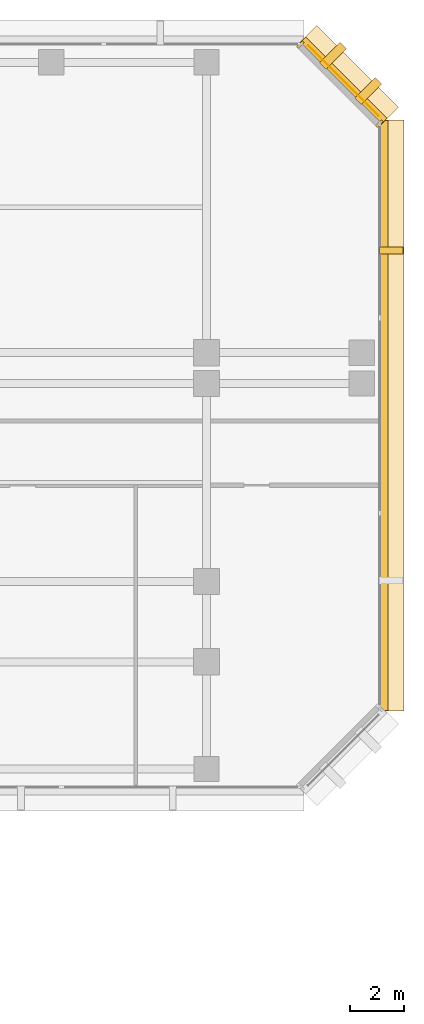
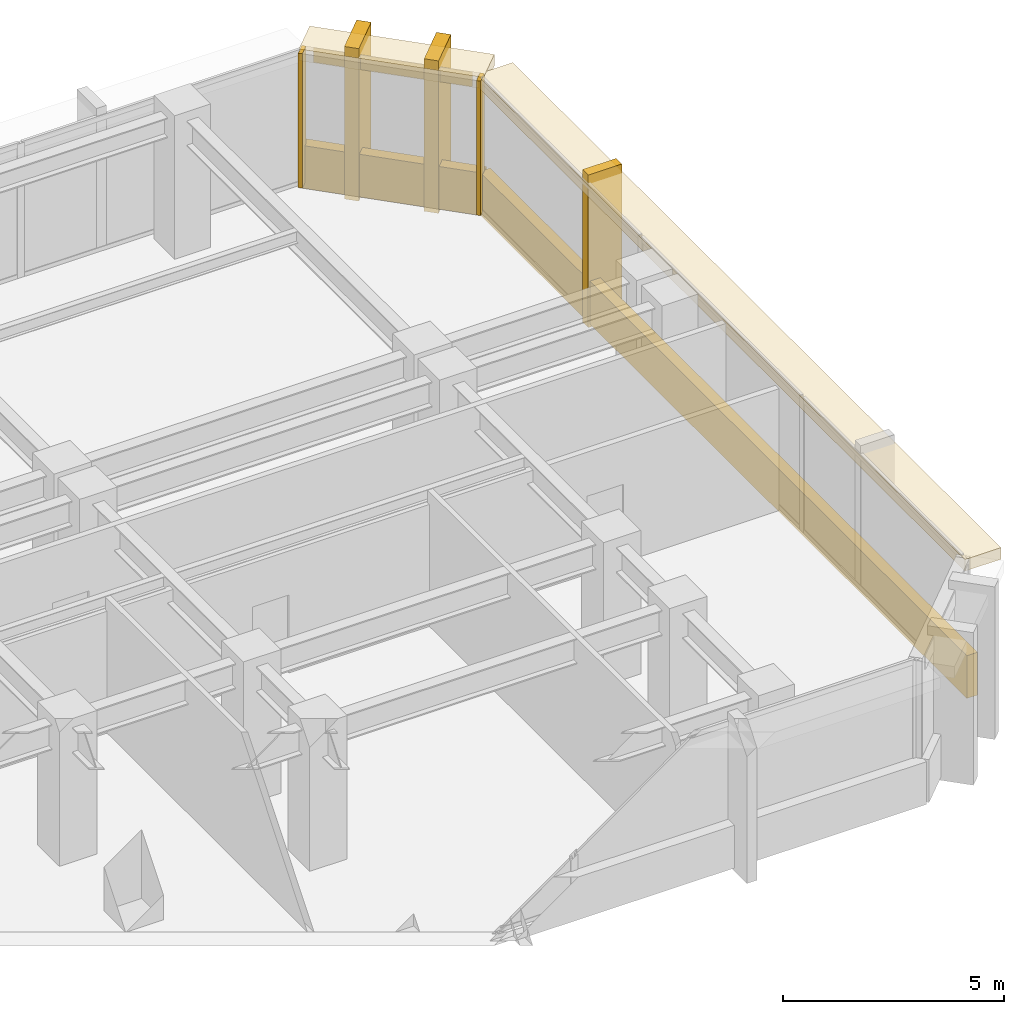
# One storey, part 13 of 13: 10 coverings.
"""IFC4 building model written with IfcOpenShell, lengths in metres."""

import ifcopenshell
import ifcopenshell.guid

model = None  # the IFC model being written
_history = None  # IfcOwnerHistory: only IFC2X3 demands one
_inside = {}  # id of a spatial element -> (the spatial element, [elements in it])
_under = {}  # id of a project, library or spatial element -> (it, [spatial elements below it])
_declared = {}  # id of a project -> (the project, [libraries it declares])
_typed = {}  # id of a type object -> (the type object, [elements of that type])
_made_of = {}  # id of a material, layer set ... -> (it, [elements and type objects made of it])


def new_model(schema):
    """Start an empty IFC model of exactly this schema.

    Asked for "IFC4X3", IfcOpenShell would pick the latest addendum, in which some entities
    have other attributes; the version numbers below select the first issue.
    IFC2X3 requires an IfcOwnerHistory on every rooted entity: one is made here for all.
    """
    global model, _history
    if schema == "IFC4X3":
        model = ifcopenshell.file(schema_version=(4, 3, 0, 0))
    else:
        model = ifcopenshell.file(schema=schema)
    _inside.clear()
    _under.clear()
    _declared.clear()
    _typed.clear()
    _made_of.clear()
    _history = None
    if model.schema == "IFC2X3":
        org = make("IfcOrganization", Name="unknown")
        user = make(
            "IfcPersonAndOrganization",
            ThePerson=make("IfcPerson", FamilyName="unknown"),
            TheOrganization=org,
        )
        app = make(
            "IfcApplication",
            ApplicationDeveloper=org,
            Version="unknown",
            ApplicationFullName="unknown",
            ApplicationIdentifier="unknown",
        )
        _history = make(
            "IfcOwnerHistory",
            OwningUser=user,
            OwningApplication=app,
            ChangeAction="ADDED",
            CreationDate=0,
        )
    return model


def make(cls, **values):
    """One entity of the class cls with the attributes given. An attribute that is None is left unset."""
    return model.create_entity(
        cls, **{name: value for name, value in values.items() if value is not None}
    )


def rooted(cls, **values):
    """An entity with a GlobalId (a new one), such as an element, a storey or a relation."""
    return make(cls, GlobalId=ifcopenshell.guid.new(), OwnerHistory=_history, **values)


def si_unit(unit_type, name, prefix=None):
    """IfcSIUnit, for example si_unit("LENGTHUNIT", "METRE", prefix="MILLI")."""
    return make("IfcSIUnit", UnitType=unit_type, Prefix=prefix, Name=name)


def assignment(units):
    """IfcUnitAssignment: the units of a project."""
    return None if units is None else make("IfcUnitAssignment", Units=units)


def point(xyz):
    """IfcCartesianPoint."""
    return None if xyz is None else make("IfcCartesianPoint", Coordinates=xyz)


def direction(xyz):
    """IfcDirection."""
    return None if xyz is None else make("IfcDirection", DirectionRatios=xyz)


def frame(location, z_axis=None, x_axis=None):
    """IfcAxis2Placement3D, a coordinate frame: its origin and axes. An axis left out is left unset."""
    return make(
        "IfcAxis2Placement3D",
        Location=point(location),
        Axis=direction(z_axis),
        RefDirection=direction(x_axis),
    )


def frame_2d(location, x_axis=None):
    """IfcAxis2Placement2D, a coordinate frame in the plane: its origin and x axis."""
    return make(
        "IfcAxis2Placement2D", Location=point(location), RefDirection=direction(x_axis)
    )


def origin():
    """The frame at (0, 0, 0) with its axes left unset."""
    return frame((0.0, 0.0, 0.0))


def origin_2d():
    """The frame at (0, 0) in the plane with its x axis left unset."""
    return frame_2d((0.0, 0.0))


def place(relative_to, where):
    """IfcLocalPlacement: puts the frame where relative to a parent placement (None: the world)."""
    return make(
        "IfcLocalPlacement", PlacementRelTo=relative_to, RelativePlacement=where
    )


def context(
    kind, dimensions, precision=None, world=None, true_north=None, identifier=None
):
    """IfcGeometricRepresentationContext, for example the 3D "Model" context."""
    return make(
        "IfcGeometricRepresentationContext",
        ContextIdentifier=identifier,
        ContextType=kind,
        CoordinateSpaceDimension=dimensions,
        Precision=precision,
        WorldCoordinateSystem=world,
        TrueNorth=true_north,
    )


def subcontext(parent, identifier, kind, view, scale=None):
    """IfcGeometricRepresentationSubContext, for example "Body" below "Model"."""
    return make(
        "IfcGeometricRepresentationSubContext",
        ContextIdentifier=identifier,
        ContextType=kind,
        ParentContext=parent,
        TargetScale=scale,
        TargetView=view,
    )


def project(units=None, contexts=None):
    """IfcProject with its units and contexts."""
    return rooted(
        "IfcProject",
        Name="project",
        RepresentationContexts=contexts,
        UnitsInContext=assignment(units),
    )


def spatial(cls, under=None, at=None, **own):
    """A site, building, storey or space (cls), placed at a placement, below another one or the project."""
    s = rooted(cls, ObjectPlacement=at, **own)
    if under is not None:
        _under.setdefault(under.id(), (under, []))[1].append(s)
    return s


def profile(cls, at=None, kind="AREA", **sizes):
    """A parametric profile (cls). Its sizes go by their IFC names, for example OverallWidth=200.0."""
    return make(cls, ProfileType=kind, Position=at, **sizes)


def rectangle(**sizes):
    """IfcRectangleProfileDef."""
    return profile("IfcRectangleProfileDef", **sizes)


def extrude(swept, where, along, depth):
    """IfcExtrudedAreaSolid: the profile swept, set in the frame where, extruded along a direction by depth."""
    return make(
        "IfcExtrudedAreaSolid",
        SweptArea=swept,
        Position=where,
        ExtrudedDirection=direction(along),
        Depth=depth,
    )


def shape(context_of_items, identifier, shape_type, items):
    """IfcShapeRepresentation: the items that make up one representation, for example the "Body"."""
    return make(
        "IfcShapeRepresentation",
        ContextOfItems=context_of_items,
        RepresentationIdentifier=identifier,
        RepresentationType=shape_type,
        Items=items,
    )


def material(Name=None, Category=None):
    """IfcMaterial."""
    return make("IfcMaterial", Name=Name, Category=Category)


def layer(
    of_material, thickness, ventilated=None, Name=None, Category=None, Priority=None
):
    """IfcMaterialLayer: one layer of a wall or slab, of a material (None: an air gap)."""
    return make(
        "IfcMaterialLayer",
        Material=of_material,
        LayerThickness=thickness,
        IsVentilated=ventilated,
        Name=Name,
        Category=Category,
        Priority=Priority,
    )


def layer_set(layers, Name=None):
    """IfcMaterialLayerSet."""
    return make("IfcMaterialLayerSet", MaterialLayers=layers, LayerSetName=Name)


def made_of(thing, what):
    """Note that an element or type object is made of a material, layer set ...; save() writes the relation."""
    if what is not None:
        _made_of.setdefault(what.id(), (what, []))[1].append(thing)
    return thing


def type_object(cls, material=None, **own):
    """A type object (cls), such as IfcWallType, which elements share."""
    return made_of(rooted(cls, **own), material)


def element(
    cls,
    number,
    at=None,
    inside=None,
    cuts=None,
    type_object=None,
    material=None,
    context=None,
    identifier="Body",
    shape_type=None,
    held_by="IfcProductDefinitionShape",
    body=None,
    shapes=None,
    **own,
):
    """One element of the class cls, such as IfcWall. Its Tag is "e" and its number.

    at: its placement. inside: the storey or other place that contains it. cuts: it is an
    opening in that element (IfcRelVoidsElement). A single representation is given by context,
    identifier, shape_type and body (its items); several are given by shapes. held_by: the class
    of the entity that holds the representations. save() writes the other relations.
    """
    e = rooted(cls, Tag="e%d" % number, ObjectPlacement=at, **own)
    if body is not None:
        shapes = [shape(context, identifier, shape_type, body)]
    if shapes is not None:
        e.Representation = make(held_by, Representations=shapes)
    if inside is not None:
        _inside.setdefault(inside.id(), (inside, []))[1].append(e)
    if cuts is not None:
        rooted(
            "IfcRelVoidsElement", RelatingBuildingElement=cuts, RelatedOpeningElement=e
        )
    if type_object is not None:
        _typed.setdefault(type_object.id(), (type_object, []))[1].append(e)
    return made_of(e, material)


def aggregate(whole, parts):
    """IfcRelAggregates: a whole, such as a stair, and the parts it consists of."""
    return rooted("IfcRelAggregates", RelatingObject=whole, RelatedObjects=parts)


def save(model, path):
    """Write the relations noted so far, then the file.

    IfcRelAggregates (storeys below a building ...), IfcRelContainedInSpatialStructure (elements
    in a storey), IfcRelDefinesByType, IfcRelAssociatesMaterial and IfcRelDeclares: one each for
    every whole, place, type object, material and project.
    """
    for whole, parts in _under.values():
        aggregate(whole, parts)
    for where, things in _inside.values():
        rooted(
            "IfcRelContainedInSpatialStructure",
            RelatedElements=things,
            RelatingStructure=where,
        )
    for kind, things in _typed.values():
        rooted("IfcRelDefinesByType", RelatedObjects=things, RelatingType=kind)
    for what, things in _made_of.values():
        rooted("IfcRelAssociatesMaterial", RelatedObjects=things, RelatingMaterial=what)
    for by, libraries in _declared.values():
        rooted("IfcRelDeclares", RelatingContext=by, RelatedDefinitions=libraries)
    model.write(path)


model = new_model("IFC4")

# Units and contexts
model_context = context("Model", 3, precision=1e-05, world=origin(), true_north=direction((0.0, 1.0)))
body_context = subcontext(model_context, "Body", "Model", "MODEL_VIEW")
ifc_project = project(units=[si_unit("LENGTHUNIT", "METRE"), si_unit("AREAUNIT", "SQUARE_METRE"), si_unit("VOLUMEUNIT", "CUBIC_METRE"), si_unit("PLANEANGLEUNIT", "RADIAN"), si_unit("MASSUNIT", "GRAM", prefix="KILO")], contexts=[model_context])

# Site, building, storey
site_placement = place(None, origin())
site = spatial("IfcSite", under=ifc_project, at=site_placement, CompositionType="ELEMENT")
building_placement = place(site_placement, origin())
building = spatial("IfcBuilding", under=site, at=building_placement, Name="Kefirva Bronze Tower", CompositionType="ELEMENT")
storey_placement = place(building_placement, frame((0.0, 0.0, 81.840087890625)))
storey = spatial("IfcBuildingStorey", under=building, at=storey_placement, Name="L19", CompositionType="ELEMENT", Elevation=81.840087890625)

# Coverings
ifc_material = material(Name="Bronze anodised aluminium", Category="aluminium")
ifc_layer_1 = layer(ifc_material, 0.02001953125, Name="Bronze anodised aluminium")
ifc_layer_set_1 = layer_set([ifc_layer_1], Name="Bronze anodised aluminium")
covering_type_1 = type_object("IfcCoveringType", Name="Anodised Bronze Spandrel Cladding 20mm", PredefinedType="CLADDING", material=ifc_layer_set_1)
covering_1_placement = place(storey_placement, frame((56.0400390625, 32.0, -0.16015625), z_axis=(0.0, 0.0, 1.0), x_axis=(0.0, 1.0, 0.0)))
element("IfcCovering", 1, at=covering_1_placement, inside=storey, type_object=covering_type_1, Name="L19 Streamline Horizontal Spandrel Band 6", PredefinedType="CLADDING", context=body_context, shape_type="SweptSolid", body=[
    extrude(rectangle(XDim=22.0400390625, YDim=0.280029296875, at=origin_2d()), origin(), (0.0, 0.0, 1.0), 1.179931640625),
])
covering_2_placement = place(storey_placement, frame((54.507080078125, 44.507080078125, 3.2900390625), z_axis=(0.0, 0.0, 1.0), x_axis=(-0.707106781187, 0.707106781187, 0.0)))
element("IfcCovering", 2, at=covering_2_placement, inside=storey, type_object=covering_type_1, Name="L19 Bronze Spandrel Cladding 5", PredefinedType="CLADDING", context=body_context, shape_type="SweptSolid", body=[
    extrude(rectangle(XDim=3.719482421875, YDim=0.02001953125, at=origin_2d()), origin(), (0.0, 0.0, 1.0), 0.39990234375),
])
for number, where, z_axis, x_axis, name in (
    (3, (55.862060546875, 42.91162109375, 0.0), (0.0, 0.0, 1.0), (-0.707106781187, 0.707106781187, 0.0), "L19 Facade Joint Closure Panel 5S"),
    (4, (52.91162109375, 45.862060546875, 0.0), (0.0, 0.0, 1.0), (-0.707106781187, 0.707106781187, 0.0), "L19 Facade Joint Closure Panel 5E"),
):
    element("IfcCovering", number, at=place(storey_placement, frame(where, z_axis=z_axis, x_axis=x_axis)), inside=storey, type_object=covering_type_1, Name=name, PredefinedType="CLADDING", context=body_context, shape_type="SweptSolid", body=[
        extrude(rectangle(XDim=0.10009765625, YDim=0.320068359375, at=origin_2d()), origin(), (0.0, 0.0, 1.0), 3.7099609375),
    ])
covering_3_placement = place(storey_placement, frame((54.5283203125, 44.5283203125, -0.16015625), z_axis=(0.0, 0.0, 1.0), x_axis=(-0.707106781187, 0.707106781187, 0.0)))
element("IfcCovering", 5, at=covering_3_placement, inside=storey, type_object=covering_type_1, Name="L19 Streamline Horizontal Spandrel Band 7", PredefinedType="CLADDING", context=body_context, shape_type="SweptSolid", body=[
    extrude(rectangle(XDim=4.28271484375, YDim=0.280029296875, at=origin_2d()), origin(), (0.0, 0.0, 1.0), 1.179931640625),
])
ifc_layer_2 = layer(ifc_material, 0.179931640625, Name="Bronze anodised aluminium")
ifc_layer_set_2 = layer_set([ifc_layer_2], Name="Bronze anodised aluminium")
covering_type_2 = type_object("IfcCoveringType", Name="Streamline Bronze Sunshade Eyebrow Cladding 180mm", PredefinedType="CLADDING", material=ifc_layer_set_2)
covering_4_placement = place(storey_placement, frame((56.31005859375, 32.0, 3.3896484375), z_axis=(0.0, 0.0, 1.0), x_axis=(0.0, 1.0, 0.0)))
element("IfcCovering", 6, at=covering_4_placement, inside=storey, type_object=covering_type_2, Name="L19 Streamline Bronze Sunshade Eyebrow 6", PredefinedType="CLADDING", context=body_context, shape_type="SweptSolid", body=[
    extrude(rectangle(XDim=22.080078125, YDim=0.93994140625, at=origin_2d()), origin(), (0.0, 0.0, 1.0), 0.320068359375),
])
covering_5_placement = place(storey_placement, frame((54.71923828125, 44.71923828125, 3.3896484375), z_axis=(0.0, 0.0, 1.0), x_axis=(-0.707106781187, 0.707106781187, 0.0)))
element("IfcCovering", 7, at=covering_5_placement, inside=storey, type_object=covering_type_2, Name="L19 Streamline Bronze Sunshade Eyebrow 7", PredefinedType="CLADDING", context=body_context, shape_type="SweptSolid", body=[
    extrude(rectangle(XDim=4.322509765625, YDim=0.93994140625, at=origin_2d()), origin(), (0.0, 0.0, 1.0), 0.320068359375),
])
ifc_layer_3 = layer(ifc_material, 0.260009765625, Name="Bronze anodised aluminium")
ifc_layer_set_3 = layer_set([ifc_layer_3], Name="Bronze anodised aluminium")
covering_type_3 = type_object("IfcCoveringType", Name="Unbroken Bronze Buttress Fin Cladding 260mm", PredefinedType="CLADDING", material=ifc_layer_set_3)
covering_6_placement = place(storey_placement, frame((56.300048828125, 38.159912109375, -0.25), z_axis=(0.0, 0.0, 1.0), x_axis=(0.0, 1.0, 0.0)))
element("IfcCovering", 8, at=covering_6_placement, inside=storey, type_object=covering_type_3, Name="L19 Unbroken Vertical Bronze Rib Fin 16", PredefinedType="CLADDING", context=body_context, shape_type="SweptSolid", body=[
    extrude(rectangle(XDim=0.260009765625, YDim=0.8798828125, at=origin_2d()), origin(), (0.0, 0.0, 1.0), 4.2099609375),
])
for number, where, z_axis, x_axis, name in (
    (9, (55.44287109375, 44.122802734375, -0.25), (0.0, 0.0, 1.0), (-0.707106781187, 0.707106781187, 0.0), "L19 Chamfered Corner Buttress Fin Cladding 17"),
    (10, (54.122802734375, 45.44287109375, -0.25), (0.0, 0.0, 1.0), (-0.707106781187, 0.707106781187, 0.0), "L19 Chamfered Corner Buttress Fin Cladding 18"),
):
    element("IfcCovering", number, at=place(storey_placement, frame(where, z_axis=z_axis, x_axis=x_axis)), inside=storey, type_object=covering_type_3, Name=name, PredefinedType="CLADDING", context=body_context, shape_type="SweptSolid", body=[
        extrude(rectangle(XDim=0.340087890625, YDim=1.080078125, at=origin_2d()), origin(), (0.0, 0.0, 1.0), 4.2099609375),
    ])

save(model, "model.ifc")
